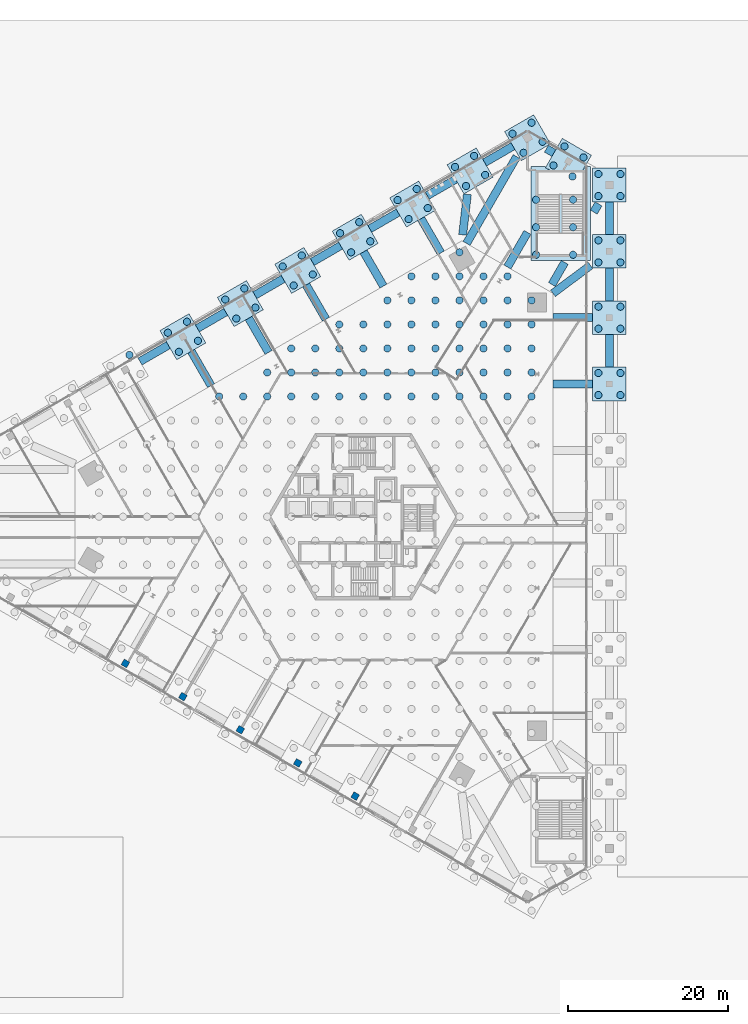
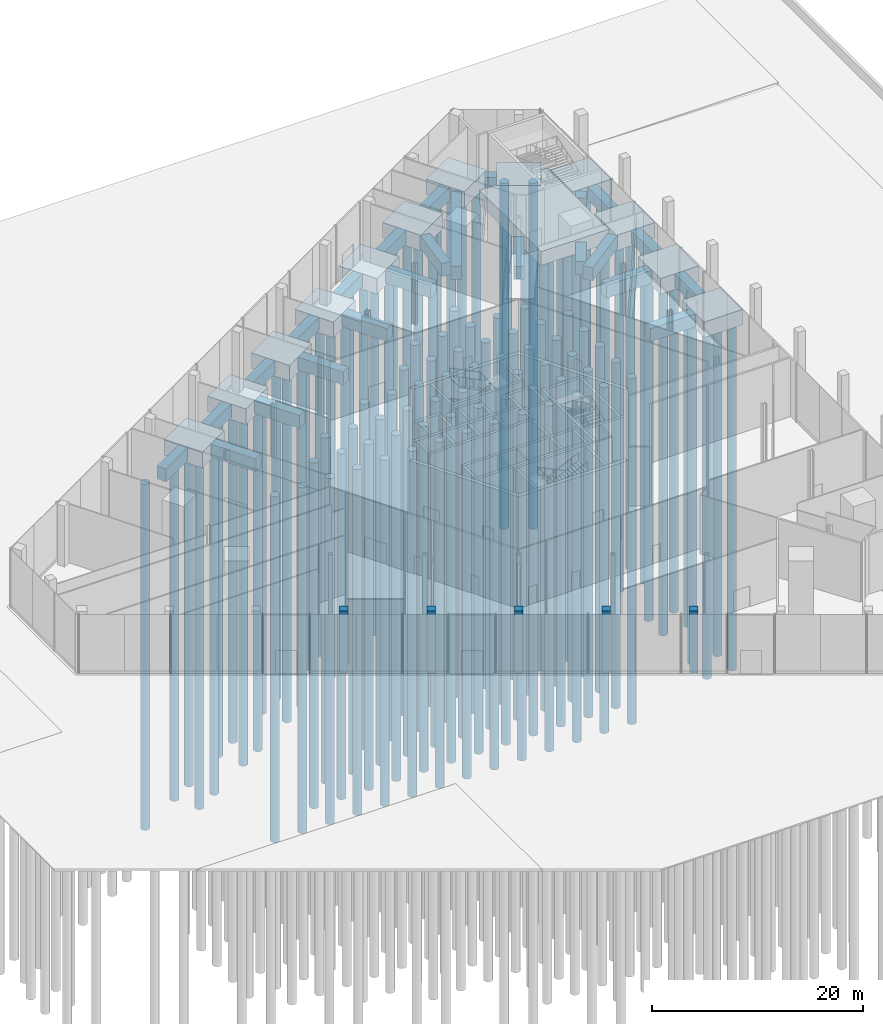
# One storey, part 3 of 27: 114 piles, 37 footings, 5 columns.
"""IFC4 building model written with IfcOpenShell, lengths in metres."""

import ifcopenshell
import ifcopenshell.guid

model = None  # the IFC model being written
_history = None  # IfcOwnerHistory: only IFC2X3 demands one
_inside = {}  # id of a spatial element -> (the spatial element, [elements in it])
_under = {}  # id of a project, library or spatial element -> (it, [spatial elements below it])
_declared = {}  # id of a project -> (the project, [libraries it declares])
_typed = {}  # id of a type object -> (the type object, [elements of that type])
_made_of = {}  # id of a material, layer set ... -> (it, [elements and type objects made of it])


def new_model(schema):
    """Start an empty IFC model of exactly this schema.

    Asked for "IFC4X3", IfcOpenShell would pick the latest addendum, in which some entities
    have other attributes; the version numbers below select the first issue.
    IFC2X3 requires an IfcOwnerHistory on every rooted entity: one is made here for all.
    """
    global model, _history
    if schema == "IFC4X3":
        model = ifcopenshell.file(schema_version=(4, 3, 0, 0))
    else:
        model = ifcopenshell.file(schema=schema)
    _inside.clear()
    _under.clear()
    _declared.clear()
    _typed.clear()
    _made_of.clear()
    _history = None
    if model.schema == "IFC2X3":
        org = make("IfcOrganization", Name="unknown")
        user = make(
            "IfcPersonAndOrganization",
            ThePerson=make("IfcPerson", FamilyName="unknown"),
            TheOrganization=org,
        )
        app = make(
            "IfcApplication",
            ApplicationDeveloper=org,
            Version="unknown",
            ApplicationFullName="unknown",
            ApplicationIdentifier="unknown",
        )
        _history = make(
            "IfcOwnerHistory",
            OwningUser=user,
            OwningApplication=app,
            ChangeAction="ADDED",
            CreationDate=0,
        )
    return model


def make(cls, **values):
    """One entity of the class cls with the attributes given. An attribute that is None is left unset."""
    return model.create_entity(
        cls, **{name: value for name, value in values.items() if value is not None}
    )


def rooted(cls, **values):
    """An entity with a GlobalId (a new one), such as an element, a storey or a relation."""
    return make(cls, GlobalId=ifcopenshell.guid.new(), OwnerHistory=_history, **values)


def si_unit(unit_type, name, prefix=None):
    """IfcSIUnit, for example si_unit("LENGTHUNIT", "METRE", prefix="MILLI")."""
    return make("IfcSIUnit", UnitType=unit_type, Prefix=prefix, Name=name)


def assignment(units):
    """IfcUnitAssignment: the units of a project."""
    return None if units is None else make("IfcUnitAssignment", Units=units)


def point(xyz):
    """IfcCartesianPoint."""
    return None if xyz is None else make("IfcCartesianPoint", Coordinates=xyz)


def direction(xyz):
    """IfcDirection."""
    return None if xyz is None else make("IfcDirection", DirectionRatios=xyz)


def frame(location, z_axis=None, x_axis=None):
    """IfcAxis2Placement3D, a coordinate frame: its origin and axes. An axis left out is left unset."""
    return make(
        "IfcAxis2Placement3D",
        Location=point(location),
        Axis=direction(z_axis),
        RefDirection=direction(x_axis),
    )


def frame_2d(location, x_axis=None):
    """IfcAxis2Placement2D, a coordinate frame in the plane: its origin and x axis."""
    return make(
        "IfcAxis2Placement2D", Location=point(location), RefDirection=direction(x_axis)
    )


def origin():
    """The frame at (0, 0, 0) with its axes left unset."""
    return frame((0.0, 0.0, 0.0))


def origin_2d():
    """The frame at (0, 0) in the plane with its x axis left unset."""
    return frame_2d((0.0, 0.0))


def place(relative_to, where):
    """IfcLocalPlacement: puts the frame where relative to a parent placement (None: the world)."""
    return make(
        "IfcLocalPlacement", PlacementRelTo=relative_to, RelativePlacement=where
    )


def context(
    kind, dimensions, precision=None, world=None, true_north=None, identifier=None
):
    """IfcGeometricRepresentationContext, for example the 3D "Model" context."""
    return make(
        "IfcGeometricRepresentationContext",
        ContextIdentifier=identifier,
        ContextType=kind,
        CoordinateSpaceDimension=dimensions,
        Precision=precision,
        WorldCoordinateSystem=world,
        TrueNorth=true_north,
    )


def subcontext(parent, identifier, kind, view, scale=None):
    """IfcGeometricRepresentationSubContext, for example "Body" below "Model"."""
    return make(
        "IfcGeometricRepresentationSubContext",
        ContextIdentifier=identifier,
        ContextType=kind,
        ParentContext=parent,
        TargetScale=scale,
        TargetView=view,
    )


def project(units=None, contexts=None):
    """IfcProject with its units and contexts."""
    return rooted(
        "IfcProject",
        Name="project",
        RepresentationContexts=contexts,
        UnitsInContext=assignment(units),
    )


def spatial(cls, under=None, at=None, **own):
    """A site, building, storey or space (cls), placed at a placement, below another one or the project."""
    s = rooted(cls, ObjectPlacement=at, **own)
    if under is not None:
        _under.setdefault(under.id(), (under, []))[1].append(s)
    return s


def polyline(points):
    """IfcPolyline through the points."""
    return make("IfcPolyline", Points=[point(p) for p in points])


def profile(cls, at=None, kind="AREA", **sizes):
    """A parametric profile (cls). Its sizes go by their IFC names, for example OverallWidth=200.0."""
    return make(cls, ProfileType=kind, Position=at, **sizes)


def rectangle(**sizes):
    """IfcRectangleProfileDef."""
    return profile("IfcRectangleProfileDef", **sizes)


def circle(**sizes):
    """IfcCircleProfileDef."""
    return profile("IfcCircleProfileDef", **sizes)


def outline(outer, holes=None, kind="AREA"):
    """IfcArbitraryClosedProfileDef: a profile drawn as a closed curve; with holes, ...WithVoids."""
    if holes is None:
        return make("IfcArbitraryClosedProfileDef", ProfileType=kind, OuterCurve=outer)
    return make(
        "IfcArbitraryProfileDefWithVoids",
        ProfileType=kind,
        OuterCurve=outer,
        InnerCurves=holes,
    )


def extrude(swept, where, along, depth):
    """IfcExtrudedAreaSolid: the profile swept, set in the frame where, extruded along a direction by depth."""
    return make(
        "IfcExtrudedAreaSolid",
        SweptArea=swept,
        Position=where,
        ExtrudedDirection=direction(along),
        Depth=depth,
    )


def shape(context_of_items, identifier, shape_type, items):
    """IfcShapeRepresentation: the items that make up one representation, for example the "Body"."""
    return make(
        "IfcShapeRepresentation",
        ContextOfItems=context_of_items,
        RepresentationIdentifier=identifier,
        RepresentationType=shape_type,
        Items=items,
    )


def source(mapping_origin, context_of_items, identifier, shape_type, items):
    """IfcRepresentationMap: a shape defined once, which mapped items show again and again."""
    return make(
        "IfcRepresentationMap",
        MappingOrigin=mapping_origin,
        MappedRepresentation=shape(context_of_items, identifier, shape_type, items),
    )


def transform(
    local_origin,
    x_axis=None,
    y_axis=None,
    z_axis=None,
    scale=None,
    scale2=None,
    scale3=None,
    uniform=True,
):
    """IfcCartesianTransformationOperator3D, or its non-uniform kind. x_axis, y_axis, z_axis: its Axis1, 2, 3."""
    if uniform:
        return make(
            "IfcCartesianTransformationOperator3D",
            Axis1=direction(x_axis),
            Axis2=direction(y_axis),
            LocalOrigin=point(local_origin),
            Scale=scale,
            Axis3=direction(z_axis),
        )
    return make(
        "IfcCartesianTransformationOperator3DnonUniform",
        Axis1=direction(x_axis),
        Axis2=direction(y_axis),
        LocalOrigin=point(local_origin),
        Scale=scale,
        Axis3=direction(z_axis),
        Scale2=scale2,
        Scale3=scale3,
    )


def mapped(mapping_source, mapping_target):
    """IfcMappedItem: shows the shape of a source again, moved by a transform."""
    return make(
        "IfcMappedItem", MappingSource=mapping_source, MappingTarget=mapping_target
    )


def material(Name=None, Category=None):
    """IfcMaterial."""
    return make("IfcMaterial", Name=Name, Category=Category)


def layer(
    of_material, thickness, ventilated=None, Name=None, Category=None, Priority=None
):
    """IfcMaterialLayer: one layer of a wall or slab, of a material (None: an air gap)."""
    return make(
        "IfcMaterialLayer",
        Material=of_material,
        LayerThickness=thickness,
        IsVentilated=ventilated,
        Name=Name,
        Category=Category,
        Priority=Priority,
    )


def layer_set(layers, Name=None):
    """IfcMaterialLayerSet."""
    return make("IfcMaterialLayerSet", MaterialLayers=layers, LayerSetName=Name)


def material_profile(
    of_material, cross_section, Name=None, Category=None, Priority=None
):
    """IfcMaterialProfile: a cross section and its material."""
    return make(
        "IfcMaterialProfile",
        Name=Name,
        Material=of_material,
        Profile=cross_section,
        Priority=Priority,
        Category=Category,
    )


def profile_set(profiles, Name=None, composite=None):
    """IfcMaterialProfileSet."""
    return make(
        "IfcMaterialProfileSet",
        Name=Name,
        MaterialProfiles=profiles,
        CompositeProfile=composite,
    )


def made_of(thing, what):
    """Note that an element or type object is made of a material, layer set ...; save() writes the relation."""
    if what is not None:
        _made_of.setdefault(what.id(), (what, []))[1].append(thing)
    return thing


def type_object(cls, material=None, **own):
    """A type object (cls), such as IfcWallType, which elements share."""
    return made_of(rooted(cls, **own), material)


def element(
    cls,
    number,
    at=None,
    inside=None,
    cuts=None,
    type_object=None,
    material=None,
    context=None,
    identifier="Body",
    shape_type=None,
    held_by="IfcProductDefinitionShape",
    body=None,
    shapes=None,
    **own,
):
    """One element of the class cls, such as IfcWall. Its Tag is "e" and its number.

    at: its placement. inside: the storey or other place that contains it. cuts: it is an
    opening in that element (IfcRelVoidsElement). A single representation is given by context,
    identifier, shape_type and body (its items); several are given by shapes. held_by: the class
    of the entity that holds the representations. save() writes the other relations.
    """
    e = rooted(cls, Tag="e%d" % number, ObjectPlacement=at, **own)
    if body is not None:
        shapes = [shape(context, identifier, shape_type, body)]
    if shapes is not None:
        e.Representation = make(held_by, Representations=shapes)
    if inside is not None:
        _inside.setdefault(inside.id(), (inside, []))[1].append(e)
    if cuts is not None:
        rooted(
            "IfcRelVoidsElement", RelatingBuildingElement=cuts, RelatedOpeningElement=e
        )
    if type_object is not None:
        _typed.setdefault(type_object.id(), (type_object, []))[1].append(e)
    return made_of(e, material)


def aggregate(whole, parts):
    """IfcRelAggregates: a whole, such as a stair, and the parts it consists of."""
    return rooted("IfcRelAggregates", RelatingObject=whole, RelatedObjects=parts)


def save(model, path):
    """Write the relations noted so far, then the file.

    IfcRelAggregates (storeys below a building ...), IfcRelContainedInSpatialStructure (elements
    in a storey), IfcRelDefinesByType, IfcRelAssociatesMaterial and IfcRelDeclares: one each for
    every whole, place, type object, material and project.
    """
    for whole, parts in _under.values():
        aggregate(whole, parts)
    for where, things in _inside.values():
        rooted(
            "IfcRelContainedInSpatialStructure",
            RelatedElements=things,
            RelatingStructure=where,
        )
    for kind, things in _typed.values():
        rooted("IfcRelDefinesByType", RelatedObjects=things, RelatingType=kind)
    for what, things in _made_of.values():
        rooted("IfcRelAssociatesMaterial", RelatedObjects=things, RelatingMaterial=what)
    for by, libraries in _declared.values():
        rooted("IfcRelDeclares", RelatingContext=by, RelatedDefinitions=libraries)
    model.write(path)


model = new_model("IFC4")

# Units and contexts
model_context = context("Model", 3, precision=1e-05, world=origin(), true_north=direction((0.0, 1.0)))
body_context = subcontext(model_context, "Body", "Model", "MODEL_VIEW")
ifc_project = project(units=[si_unit("LENGTHUNIT", "METRE"), si_unit("AREAUNIT", "SQUARE_METRE"), si_unit("VOLUMEUNIT", "CUBIC_METRE"), si_unit("PLANEANGLEUNIT", "RADIAN"), si_unit("MASSUNIT", "GRAM", prefix="KILO")], contexts=[model_context])

# Site, building, storey
site_placement = place(None, origin())
site = spatial("IfcSite", under=ifc_project, at=site_placement, CompositionType="ELEMENT")
building_placement = place(site_placement, origin())
building = spatial("IfcBuilding", under=site, at=building_placement, Name="Triune Harvest Tower", CompositionType="ELEMENT")
storey_placement = place(building_placement, origin())
storey = spatial("IfcBuildingStorey", under=building, at=storey_placement, Name="L00", CompositionType="ELEMENT", Elevation=0.0)

# Footings
ifc_material_1 = material(Name="Concrete 50 MPa", Category="concrete")
ifc_layer_1 = layer(ifc_material_1, 1.60009765625)
ifc_layer_set_1 = layer_set([ifc_layer_1], Name="Concrete 50 MPa")
footing_type_1 = type_object("IfcFootingType", Name="FT-4 Stair pad 1600", PredefinedType="PILE_CAP", material=ifc_layer_set_1)
footing_1_placement = place(storey_placement, frame((0.0, 0.0, -1.60009765625)))
element("IfcFooting", 1, at=footing_1_placement, inside=storey, type_object=footing_type_1, Name="footing/ps-1", PredefinedType="PILE_CAP", context=body_context, shape_type="SweptSolid", body=[
    extrude(outline(polyline([(28.330078125, 32.0), (20.919921875, 32.0), (20.919921875, 43.699951171875), (22.770751953125, 43.699951171875), (22.69580078125, 43.5703125), (26.385009765625, 41.4404296875), (27.689697265625, 43.699951171875), (28.330078125, 43.699951171875), (28.330078125, 32.0)])), origin(), (0.0, 0.0, 1.0), 1.60009765625),
])
ifc_material_2 = material(Name="Concrete 50 MPa", Category="concrete")
ifc_material_profile_1 = material_profile(ifc_material_2, rectangle(XDim=1.0, YDim=1.5, at=origin_2d()), Name="Concrete 1000x1500")
ifc_profile_set_1 = profile_set([ifc_material_profile_1], Name="Concrete 50 MPa")
footing_type_2 = type_object("IfcFootingType", Name="GB-1 Ground beam 1000x1500", PredefinedType="FOOTING_BEAM", material=ifc_profile_set_1)
footing_2_placement = place(storey_placement, frame((25.14208984375, 31.747314453125, -0.949951171875), z_axis=(-0.499978298259, -0.866037932928, 0.0), x_axis=(0.866037932928, -0.499978298259, 0.0)))
element("IfcFooting", 2, at=footing_2_placement, inside=storey, type_object=footing_type_2, Name="beam/ground/tie11b", PredefinedType="FOOTING_BEAM", context=body_context, shape_type="SweptSolid", body=[
    extrude(rectangle(XDim=1.0, YDim=1.5, at=origin_2d()), origin(), (0.0, 0.0, 1.0), 3.194091796875),
])

# Piles
ifc_material_3 = material(Name="Concrete 40 MPa", Category="concrete")
ifc_material_profile_2 = material_profile(ifc_material_3, circle(Radius=0.449951171875, at=origin_2d()), Name="Bored 900")
ifc_profile_set_2 = profile_set([ifc_material_profile_2], Name="Concrete 40 MPa")
pile_type = type_object("IfcPileType", Name="PL-1 Auger-cast pile 900", PredefinedType="BORED", material=ifc_profile_set_2)
shared_shape_1 = source(origin(), body_context, "Body", "SweptSolid", [
    extrude(circle(Radius=0.449951171875, at=origin_2d()), origin(), (0.0, 0.0, 1.0), 40.0),
])
for number, where, z_axis, x_axis, name in (
    (3, (-18.0, 15.0, -4.10009765625), (0.0, 0.0, -1.0), (1.0, 0.0, 0.0), "pile/raft/48"),
    (4, (-15.0, 15.0, -4.10009765625), (0.0, 0.0, -1.0), (1.0, 0.0, 0.0), "pile/raft/59"),
    (5, (-12.0, 15.0, -4.10009765625), (0.0, 0.0, -1.0), (1.0, 0.0, 0.0), "pile/raft/71"),
    (6, (-12.0, 18.0, -4.10009765625), (0.0, 0.0, -1.0), (1.0, 0.0, 0.0), "pile/raft/72"),
    (7, (-9.0, 15.0, -4.10009765625), (0.0, 0.0, -1.0), (1.0, 0.0, 0.0), "pile/raft/85"),
    (8, (-9.0, 18.0, -4.10009765625), (0.0, 0.0, -1.0), (1.0, 0.0, 0.0), "pile/raft/86"),
    (9, (-9.0, 21.0, -4.10009765625), (0.0, 0.0, -1.0), (1.0, 0.0, 0.0), "pile/raft/87"),
    (10, (-6.0, 15.0, -4.10009765625), (0.0, 0.0, -1.0), (1.0, 0.0, 0.0), "pile/raft/100"),
    (11, (-6.0, 18.0, -4.10009765625), (0.0, 0.0, -1.0), (1.0, 0.0, 0.0), "pile/raft/101"),
    (12, (-6.0, 21.0, -4.10009765625), (0.0, 0.0, -1.0), (1.0, 0.0, 0.0), "pile/raft/102"),
    (13, (-3.0, 15.0, -4.10009765625), (0.0, 0.0, -1.0), (1.0, 0.0, 0.0), "pile/raft/116"),
    (14, (-3.0, 18.0, -4.10009765625), (0.0, 0.0, -1.0), (1.0, 0.0, 0.0), "pile/raft/117"),
    (15, (-3.0, 21.0, -4.10009765625), (0.0, 0.0, -1.0), (1.0, 0.0, 0.0), "pile/raft/118"),
    (16, (-3.0, 24.0, -4.10009765625), (0.0, 0.0, -1.0), (1.0, 0.0, 0.0), "pile/raft/119"),
    (17, (0.0, 15.0, -4.10009765625), (0.0, 0.0, -1.0), (1.0, 0.0, 0.0), "pile/raft/133"),
    (18, (0.0, 18.0, -4.10009765625), (0.0, 0.0, -1.0), (1.0, 0.0, 0.0), "pile/raft/134"),
    (19, (0.0, 21.0, -4.10009765625), (0.0, 0.0, -1.0), (1.0, 0.0, 0.0), "pile/raft/135"),
    (20, (0.0, 24.0, -4.10009765625), (0.0, 0.0, -1.0), (1.0, 0.0, 0.0), "pile/raft/136"),
    (21, (3.0, 15.0, -4.10009765625), (0.0, 0.0, -1.0), (1.0, 0.0, 0.0), "pile/raft/151"),
    (22, (3.0, 18.0, -4.10009765625), (0.0, 0.0, -1.0), (1.0, 0.0, 0.0), "pile/raft/152"),
    (23, (3.0, 21.0, -4.10009765625), (0.0, 0.0, -1.0), (1.0, 0.0, 0.0), "pile/raft/153"),
    (24, (3.0, 24.0, -4.10009765625), (0.0, 0.0, -1.0), (1.0, 0.0, 0.0), "pile/raft/154"),
    (25, (3.0, 27.0, -4.10009765625), (0.0, 0.0, -1.0), (1.0, 0.0, 0.0), "pile/raft/155"),
    (26, (6.0, 15.0, -4.10009765625), (0.0, 0.0, -1.0), (1.0, 0.0, 0.0), "pile/raft/171"),
    (27, (6.0, 18.0, -4.10009765625), (0.0, 0.0, -1.0), (1.0, 0.0, 0.0), "pile/raft/172"),
    (28, (6.0, 21.0, -4.10009765625), (0.0, 0.0, -1.0), (1.0, 0.0, 0.0), "pile/raft/173"),
    (29, (6.0, 24.0, -4.10009765625), (0.0, 0.0, -1.0), (1.0, 0.0, 0.0), "pile/raft/174"),
    (30, (6.0, 27.0, -4.10009765625), (0.0, 0.0, -1.0), (1.0, 0.0, 0.0), "pile/raft/175"),
    (31, (6.0, 30.0, -4.10009765625), (0.0, 0.0, -1.0), (1.0, 0.0, 0.0), "pile/raft/176"),
    (32, (9.0, 15.0, -4.10009765625), (0.0, 0.0, -1.0), (1.0, 0.0, 0.0), "pile/raft/192"),
    (33, (9.0, 18.0, -4.10009765625), (0.0, 0.0, -1.0), (1.0, 0.0, 0.0), "pile/raft/193"),
    (34, (9.0, 21.0, -4.10009765625), (0.0, 0.0, -1.0), (1.0, 0.0, 0.0), "pile/raft/194"),
    (35, (9.0, 24.0, -4.10009765625), (0.0, 0.0, -1.0), (1.0, 0.0, 0.0), "pile/raft/195"),
    (36, (9.0, 27.0, -4.10009765625), (0.0, 0.0, -1.0), (1.0, 0.0, 0.0), "pile/raft/196"),
    (37, (9.0, 30.0, -4.10009765625), (0.0, 0.0, -1.0), (1.0, 0.0, 0.0), "pile/raft/197"),
    (38, (12.0, 15.0, -4.10009765625), (0.0, 0.0, -1.0), (1.0, 0.0, 0.0), "pile/raft/214"),
    (39, (12.0, 18.0, -4.10009765625), (0.0, 0.0, -1.0), (1.0, 0.0, 0.0), "pile/raft/215"),
    (40, (12.0, 21.0, -4.10009765625), (0.0, 0.0, -1.0), (1.0, 0.0, 0.0), "pile/raft/216"),
    (41, (12.0, 24.0, -4.10009765625), (0.0, 0.0, -1.0), (1.0, 0.0, 0.0), "pile/raft/217"),
    (42, (12.0, 27.0, -4.10009765625), (0.0, 0.0, -1.0), (1.0, 0.0, 0.0), "pile/raft/218"),
    (43, (12.0, 30.0, -4.10009765625), (0.0, 0.0, -1.0), (1.0, 0.0, 0.0), "pile/raft/219"),
    (44, (12.0, 33.0, -4.10009765625), (0.0, 0.0, -1.0), (1.0, 0.0, 0.0), "pile/raft/220"),
    (45, (15.0, 15.0, -4.10009765625), (0.0, 0.0, -1.0), (1.0, 0.0, 0.0), "pile/raft/236"),
    (46, (15.0, 18.0, -4.10009765625), (0.0, 0.0, -1.0), (1.0, 0.0, 0.0), "pile/raft/237"),
    (47, (15.0, 21.0, -4.10009765625), (0.0, 0.0, -1.0), (1.0, 0.0, 0.0), "pile/raft/238"),
    (48, (15.0, 24.0, -4.10009765625), (0.0, 0.0, -1.0), (1.0, 0.0, 0.0), "pile/raft/239"),
    (49, (15.0, 27.0, -4.10009765625), (0.0, 0.0, -1.0), (1.0, 0.0, 0.0), "pile/raft/240"),
    (50, (15.0, 30.0, -4.10009765625), (0.0, 0.0, -1.0), (1.0, 0.0, 0.0), "pile/raft/241"),
    (51, (18.0, 15.0, -4.10009765625), (0.0, 0.0, -1.0), (1.0, 0.0, 0.0), "pile/raft/257"),
    (52, (18.0, 18.0, -4.10009765625), (0.0, 0.0, -1.0), (1.0, 0.0, 0.0), "pile/raft/258"),
    (53, (18.0, 21.0, -4.10009765625), (0.0, 0.0, -1.0), (1.0, 0.0, 0.0), "pile/raft/259"),
    (54, (18.0, 24.0, -4.10009765625), (0.0, 0.0, -1.0), (1.0, 0.0, 0.0), "pile/raft/260"),
    (55, (18.0, 27.0, -4.10009765625), (0.0, 0.0, -1.0), (1.0, 0.0, 0.0), "pile/raft/261"),
    (56, (18.0, 30.0, -4.10009765625), (0.0, 0.0, -1.0), (1.0, 0.0, 0.0), "pile/raft/262"),
    (57, (21.0, 15.0, -4.10009765625), (0.0, 0.0, -1.0), (1.0, 0.0, 0.0), "pile/raft/277"),
    (58, (21.0, 18.0, -4.10009765625), (0.0, 0.0, -1.0), (1.0, 0.0, 0.0), "pile/raft/278"),
    (59, (21.0, 21.0, -4.10009765625), (0.0, 0.0, -1.0), (1.0, 0.0, 0.0), "pile/raft/279"),
    (60, (21.0, 24.0, -4.10009765625), (0.0, 0.0, -1.0), (1.0, 0.0, 0.0), "pile/raft/280"),
    (61, (21.0, 27.0, -4.10009765625), (0.0, 0.0, -1.0), (1.0, 0.0, 0.0), "pile/raft/281"),
    (62, (32.090087890625, 15.18505859375, -1.89990234375), (0.0, 0.0, -1.0), (1.0, 0.0, 0.0), "pile/cap8/1"),
    (63, (32.090087890625, 17.93505859375, -1.89990234375), (0.0, 0.0, -1.0), (1.0, 0.0, 0.0), "pile/cap8/2"),
    (64, (29.340087890625, 17.93505859375, -1.89990234375), (0.0, 0.0, -1.0), (1.0, 0.0, 0.0), "pile/cap8/3"),
    (65, (29.340087890625, 15.18505859375, -1.89990234375), (0.0, 0.0, -1.0), (1.0, 0.0, 0.0), "pile/cap8/4"),
    (66, (32.090087890625, 23.465087890625, -1.89990234375), (0.0, 0.0, -1.0), (1.0, 0.0, 0.0), "pile/cap9/1"),
    (67, (32.090087890625, 26.215087890625, -1.89990234375), (0.0, 0.0, -1.0), (1.0, 0.0, 0.0), "pile/cap9/2"),
    (68, (29.340087890625, 26.215087890625, -1.89990234375), (0.0, 0.0, -1.0), (1.0, 0.0, 0.0), "pile/cap9/3"),
    (69, (29.340087890625, 23.465087890625, -1.89990234375), (0.0, 0.0, -1.0), (1.0, 0.0, 0.0), "pile/cap9/4"),
    (70, (32.090087890625, 31.7451171875, -1.89990234375), (0.0, 0.0, -1.0), (1.0, 0.0, 0.0), "pile/cap10/1"),
    (71, (32.090087890625, 34.4951171875, -1.89990234375), (0.0, 0.0, -1.0), (1.0, 0.0, 0.0), "pile/cap10/2"),
    (72, (29.340087890625, 34.4951171875, -1.89990234375), (0.0, 0.0, -1.0), (1.0, 0.0, 0.0), "pile/cap10/3"),
    (73, (29.340087890625, 31.7451171875, -1.89990234375), (0.0, 0.0, -1.0), (1.0, 0.0, 0.0), "pile/cap10/4"),
    (74, (32.090087890625, 40.02490234375, -1.89990234375), (0.0, 0.0, -1.0), (1.0, 0.0, 0.0), "pile/cap11/1"),
    (75, (32.090087890625, 42.77490234375, -1.89990234375), (0.0, 0.0, -1.0), (1.0, 0.0, 0.0), "pile/cap11/2"),
    (76, (29.340087890625, 42.77490234375, -1.89990234375), (0.0, 0.0, -1.0), (1.0, 0.0, 0.0), "pile/cap11/3"),
    (77, (29.340087890625, 40.02490234375, -1.89990234375), (0.0, 0.0, -1.0), (1.0, 0.0, 0.0), "pile/cap11/4"),
    (78, (27.48388671875, 44.853271484375, -1.89990234375), (0.0, 0.0, -1.0), (1.0, 0.0, 0.0), "pile/cap12/1"),
    (79, (25.102294921875, 46.228271484375, -1.89990234375), (0.0, 0.0, -1.0), (1.0, 0.0, 0.0), "pile/cap12/2"),
    (80, (23.727294921875, 43.8466796875, -1.89990234375), (0.0, 0.0, -1.0), (1.0, 0.0, 0.0), "pile/cap12/3"),
    (81, (26.10888671875, 42.4716796875, -1.89990234375), (0.0, 0.0, -1.0), (1.0, 0.0, 0.0), "pile/cap12/4"),
    (82, (20.999267578125, 49.17822265625, -1.89990234375), (0.0, 0.0, -1.0), (1.0, 0.0, 0.0), "pile/cap13/1"),
    (83, (18.61767578125, 47.80322265625, -1.89990234375), (0.0, 0.0, -1.0), (1.0, 0.0, 0.0), "pile/cap13/2"),
    (84, (19.99267578125, 45.421630859375, -1.89990234375), (0.0, 0.0, -1.0), (1.0, 0.0, 0.0), "pile/cap13/3"),
    (85, (22.374267578125, 46.796630859375, -1.89990234375), (0.0, 0.0, -1.0), (1.0, 0.0, 0.0), "pile/cap13/4"),
    (86, (13.82861328125, 45.038330078125, -1.89990234375), (0.0, 0.0, -1.0), (1.0, 0.0, 0.0), "pile/cap14/1"),
    (87, (11.447021484375, 43.663330078125, -1.89990234375), (0.0, 0.0, -1.0), (1.0, 0.0, 0.0), "pile/cap14/2"),
    (88, (12.822021484375, 41.28173828125, -1.89990234375), (0.0, 0.0, -1.0), (1.0, 0.0, 0.0), "pile/cap14/3"),
    (89, (15.20361328125, 42.65673828125, -1.89990234375), (0.0, 0.0, -1.0), (1.0, 0.0, 0.0), "pile/cap14/4"),
    (90, (6.65771484375, 40.898193359375, -1.89990234375), (0.0, 0.0, -1.0), (1.0, 0.0, 0.0), "pile/cap15/1"),
    (91, (4.276123046875, 39.523193359375, -1.89990234375), (0.0, 0.0, -1.0), (1.0, 0.0, 0.0), "pile/cap15/2"),
    (92, (5.651123046875, 37.1416015625, -1.89990234375), (0.0, 0.0, -1.0), (1.0, 0.0, 0.0), "pile/cap15/3"),
    (93, (8.03271484375, 38.5166015625, -1.89990234375), (0.0, 0.0, -1.0), (1.0, 0.0, 0.0), "pile/cap15/4"),
    (94, (-0.512939453125, 36.75830078125, -1.89990234375), (0.0, 0.0, -1.0), (1.0, 0.0, 0.0), "pile/cap16/1"),
    (95, (-2.89453125, 35.38330078125, -1.89990234375), (0.0, 0.0, -1.0), (1.0, 0.0, 0.0), "pile/cap16/2"),
    (96, (-1.51953125, 33.001708984375, -1.89990234375), (0.0, 0.0, -1.0), (1.0, 0.0, 0.0), "pile/cap16/3"),
    (97, (0.862060546875, 34.376708984375, -1.89990234375), (0.0, 0.0, -1.0), (1.0, 0.0, 0.0), "pile/cap16/4"),
    (98, (-7.68359375, 32.618408203125, -1.89990234375), (0.0, 0.0, -1.0), (1.0, 0.0, 0.0), "pile/cap17/1"),
    (99, (-10.065185546875, 31.243408203125, -1.89990234375), (0.0, 0.0, -1.0), (1.0, 0.0, 0.0), "pile/cap17/2"),
    (100, (-8.690185546875, 28.86181640625, -1.89990234375), (0.0, 0.0, -1.0), (1.0, 0.0, 0.0), "pile/cap17/3"),
    (101, (-6.30859375, 30.23681640625, -1.89990234375), (0.0, 0.0, -1.0), (1.0, 0.0, 0.0), "pile/cap17/4"),
    (102, (-14.854248046875, 28.478271484375, -1.89990234375), (0.0, 0.0, -1.0), (1.0, 0.0, 0.0), "pile/cap18/1"),
    (103, (-17.23583984375, 27.103271484375, -1.89990234375), (0.0, 0.0, -1.0), (1.0, 0.0, 0.0), "pile/cap18/2"),
    (104, (-15.86083984375, 24.7216796875, -1.89990234375), (0.0, 0.0, -1.0), (1.0, 0.0, 0.0), "pile/cap18/3"),
    (105, (-13.479248046875, 26.0966796875, -1.89990234375), (0.0, 0.0, -1.0), (1.0, 0.0, 0.0), "pile/cap18/4"),
    (106, (-22.02490234375, 24.33837890625, -1.89990234375), (0.0, 0.0, -1.0), (1.0, 0.0, 0.0), "pile/cap19/1"),
    (107, (-24.406494140625, 22.96337890625, -1.89990234375), (0.0, 0.0, -1.0), (1.0, 0.0, 0.0), "pile/cap19/2"),
    (108, (-23.031494140625, 20.581787109375, -1.89990234375), (0.0, 0.0, -1.0), (1.0, 0.0, 0.0), "pile/cap19/3"),
    (109, (-20.64990234375, 21.956787109375, -1.89990234375), (0.0, 0.0, -1.0), (1.0, 0.0, 0.0), "pile/cap19/4"),
    (110, (-29.195556640625, 20.1982421875, -1.89990234375), (0.0, 0.0, -1.0), (1.0, 0.0, 0.0), "pile/cap20/1"),
    (111, (21.570068359375, 32.699951171875, -1.5), (0.0, 0.0, -1.0), (1.0, 0.0, 0.0), "pile/ps-1/1"),
    (112, (26.179931640625, 32.699951171875, -1.5), (0.0, 0.0, -1.0), (1.0, 0.0, 0.0), "pile/ps-1/2"),
    (113, (21.570068359375, 36.13330078125, -1.5), (0.0, 0.0, -1.0), (1.0, 0.0, 0.0), "pile/ps-1/3"),
    (114, (26.179931640625, 36.13330078125, -1.5), (0.0, 0.0, -1.0), (1.0, 0.0, 0.0), "pile/ps-1/4"),
    (115, (21.570068359375, 39.566650390625, -1.5), (0.0, 0.0, -1.0), (1.0, 0.0, 0.0), "pile/ps-1/5"),
    (116, (26.179931640625, 39.566650390625, -1.5), (0.0, 0.0, -1.0), (1.0, 0.0, 0.0), "pile/ps-1/6"),
):
    element("IfcPile", number, at=place(storey_placement, frame(where, z_axis=z_axis, x_axis=x_axis)), inside=storey, type_object=pile_type, Name=name, PredefinedType="BORED", context=body_context, shape_type="MappedRepresentation", body=[
        mapped(shared_shape_1, transform((0.0, 0.0, 0.0), scale=1.0)),
    ])

# Footings
ifc_material_4 = material(Name="Concrete 50 MPa", Category="concrete")
ifc_layer_2 = layer(ifc_material_4, 1.800048828125)
ifc_layer_set_2 = layer_set([ifc_layer_2], Name="Concrete 50 MPa")
footing_type_3 = type_object("IfcFootingType", Name="FT-2 Pile cap 4200", PredefinedType="PILE_CAP", material=ifc_layer_set_2)
shared_shape_2 = source(origin(), body_context, "Body", "SweptSolid", [
    extrude(rectangle(XDim=4.199951171875, YDim=4.199951171875, at=origin_2d()), origin(), (0.0, 0.0, 1.0), 1.800048828125),
])
for number, where, z_axis, x_axis, name in (
    (117, (30.715087890625, 16.56005859375, -2.0), (0.0, 0.0, 1.0), (0.0, 1.0, 0.0), "footing/cap/8"),
    (118, (30.715087890625, 24.840087890625, -2.0), (0.0, 0.0, 1.0), (0.0, 1.0, 0.0), "footing/cap/9"),
    (119, (30.715087890625, 33.1201171875, -2.0), (0.0, 0.0, 1.0), (0.0, 1.0, 0.0), "footing/cap/10"),
    (120, (30.715087890625, 41.39990234375, -2.0), (0.0, 0.0, 1.0), (0.0, 1.0, 0.0), "footing/cap/11"),
    (121, (25.60546875, 44.35009765625, -2.0), (0.0, 0.0, 1.0), (-0.866027149108, 0.499996976998, 0.0), "footing/cap/12"),
    (122, (20.495849609375, 47.300048828125, -2.0), (0.0, 0.0, 1.0), (-0.866025403784, -0.5, 0.0), "footing/cap/13"),
    (123, (13.3251953125, 43.159912109375, -2.0), (0.0, 0.0, 1.0), (-0.866025403784, -0.5, 0.0), "footing/cap/14"),
    (124, (6.154541015625, 39.02001953125, -2.0), (0.0, 0.0, 1.0), (-0.866025403784, -0.5, 0.0), "footing/cap/15"),
    (125, (-1.01611328125, 34.8798828125, -2.0), (0.0, 0.0, 1.0), (-0.866025403784, -0.5, 0.0), "footing/cap/16"),
    (126, (-8.18701171875, 30.739990234375, -2.0), (0.0, 0.0, 1.0), (-0.866025403784, -0.5, 0.0), "footing/cap/17"),
    (127, (-15.357421875, 26.60009765625, -2.0), (0.0, 0.0, 1.0), (-0.866025403784, -0.5, 0.0), "footing/cap/18"),
    (128, (-22.5283203125, 22.4599609375, -2.0), (0.0, 0.0, 1.0), (-0.866025403784, -0.5, 0.0), "footing/cap/19"),
):
    element("IfcFooting", number, at=place(storey_placement, frame(where, z_axis=z_axis, x_axis=x_axis)), inside=storey, type_object=footing_type_3, Name=name, PredefinedType="PILE_CAP", context=body_context, shape_type="MappedRepresentation", body=[
        mapped(shared_shape_2, transform((0.0, 0.0, 0.0), scale=1.0)),
    ])
shared_shape_3 = source(origin(), body_context, "Body", "SweptSolid", [
    extrude(rectangle(XDim=1.0, YDim=1.5, at=origin_2d()), origin(), (0.0, 0.0, 1.0), 4.07421875),
])
footing_3_placement = place(storey_placement, frame((30.715087890625, 35.222900390625, -0.949951171875), z_axis=(0.0, 1.0, 0.0), x_axis=(-1.0, 0.0, 0.0)))
element("IfcFooting", 129, at=footing_3_placement, inside=storey, type_object=footing_type_2, Name="beam/ground/10", PredefinedType="FOOTING_BEAM", context=body_context, shape_type="MappedRepresentation", body=[
    mapped(shared_shape_3, transform((0.0, 0.0, 0.0), scale=1.0)),
])
shared_shape_4 = source(origin(), body_context, "Body", "SweptSolid", [
    extrude(rectangle(XDim=1.0, YDim=1.5, at=origin_2d()), origin(), (0.0, 0.0, 1.0), 4.073974609375),
])
for number, where, z_axis, x_axis, name in (
    (130, (30.715087890625, 18.6630859375, -0.949951171875), (0.0, 1.0, 0.0), (-1.0, 0.0, 0.0), "beam/ground/8"),
    (131, (30.715087890625, 26.943115234375, -0.949951171875), (0.0, 1.0, 0.0), (-1.0, 0.0, 0.0), "beam/ground/9"),
    (132, (18.674560546875, 46.24853515625, -0.949951171875), (-0.866006946562, -0.500031967484, 0.0), (0.500031967484, -0.866006946562, 0.0), "beam/ground/13"),
    (133, (4.333251953125, 37.968505859375, -0.949951171875), (-0.866006946562, -0.500031967484, 0.0), (0.500031967484, -0.866006946562, 0.0), "beam/ground/15"),
    (134, (-2.83740234375, 33.82861328125, -0.949951171875), (-0.866006946562, -0.500031967484, 0.0), (0.500031967484, -0.866006946562, 0.0), "beam/ground/16"),
    (135, (-17.1787109375, 25.548583984375, -0.949951171875), (-0.866006946562, -0.500031967484, 0.0), (0.500031967484, -0.866006946562, 0.0), "beam/ground/18"),
):
    element("IfcFooting", number, at=place(storey_placement, frame(where, z_axis=z_axis, x_axis=x_axis)), inside=storey, type_object=footing_type_2, Name=name, PredefinedType="FOOTING_BEAM", context=body_context, shape_type="MappedRepresentation", body=[
        mapped(shared_shape_4, transform((0.0, 0.0, 0.0), scale=1.0)),
    ])
shared_shape_5 = source(origin(), body_context, "Body", "SweptSolid", [
    extrude(rectangle(XDim=1.0, YDim=1.5, at=origin_2d()), origin(), (0.0, 0.0, 1.0), 1.0791015625),
])
footing_4_placement = place(storey_placement, frame((23.7841796875, 45.401611328125, -0.949951171875), z_axis=(-0.866034889475, 0.499983569942, 0.0), x_axis=(-0.499983569942, -0.866034889475, 0.0)))
element("IfcFooting", 136, at=footing_4_placement, inside=storey, type_object=footing_type_2, Name="beam/ground/12", PredefinedType="FOOTING_BEAM", context=body_context, shape_type="MappedRepresentation", body=[
    mapped(shared_shape_5, transform((0.0, 0.0, 0.0), scale=1.0)),
])
shared_shape_6 = source(origin(), body_context, "Body", "SweptSolid", [
    extrude(rectangle(XDim=1.0, YDim=1.5, at=origin_2d()), origin(), (0.0, 0.0, 1.0), 4.07373046875),
])
for number, where, z_axis, x_axis, name in (
    (137, (11.50390625, 42.1083984375, -0.949951171875), (-0.866032896488, -0.499987022033, 0.0), (0.499987022033, -0.866032896488, 0.0), "beam/ground/14"),
    (138, (-24.349609375, 21.408447265625, -0.949951171875), (-0.866032896488, -0.499987022033, 0.0), (0.499987022033, -0.866032896488, 0.0), "beam/ground/19"),
):
    element("IfcFooting", number, at=place(storey_placement, frame(where, z_axis=z_axis, x_axis=x_axis)), inside=storey, type_object=footing_type_2, Name=name, PredefinedType="FOOTING_BEAM", context=body_context, shape_type="MappedRepresentation", body=[
        mapped(shared_shape_6, transform((0.0, 0.0, 0.0), scale=1.0)),
    ])
shared_shape_7 = source(origin(), body_context, "Body", "SweptSolid", [
    extrude(rectangle(XDim=1.0, YDim=1.5, at=origin_2d()), origin(), (0.0, 0.0, 1.0), 4.06396484375),
])
footing_5_placement = place(storey_placement, frame((-10.012451171875, 29.68603515625, -0.949951171875), z_axis=(-0.866027523318, -0.499996328842, 0.0), x_axis=(0.499996328842, -0.866027523318, 0.0)))
element("IfcFooting", 139, at=footing_5_placement, inside=storey, type_object=footing_type_2, Name="beam/ground/17", PredefinedType="FOOTING_BEAM", context=body_context, shape_type="MappedRepresentation", body=[
    mapped(shared_shape_7, transform((0.0, 0.0, 0.0), scale=1.0)),
])
shared_shape_8 = source(origin(), body_context, "Body", "SweptSolid", [
    extrude(rectangle(XDim=1.0, YDim=1.5, at=origin_2d()), origin(), (0.0, 0.0, 1.0), 1.18701171875),
])
footing_6_placement = place(storey_placement, frame((29.356201171875, 39.04638671875, -0.949951171875), z_axis=(-0.499965759324, -0.866045171745, 0.0), x_axis=(0.866045171745, -0.499965759324, 0.0)))
element("IfcFooting", 140, at=footing_6_placement, inside=storey, type_object=footing_type_2, Name="beam/ground/tie11", PredefinedType="FOOTING_BEAM", context=body_context, shape_type="MappedRepresentation", body=[
    mapped(shared_shape_8, transform((0.0, 0.0, 0.0), scale=1.0)),
])
shared_shape_9 = source(origin(), body_context, "Body", "SweptSolid", [
    extrude(rectangle(XDim=1.0, YDim=1.5, at=origin_2d()), origin(), (0.0, 0.0, 1.0), 5.087158203125),
])
footing_7_placement = place(storey_placement, frame((12.98486328125, 40.239501953125, -0.949951171875), z_axis=(-0.115755229234, -0.993277769259, 0.0), x_axis=(0.993277769259, -0.115755229234, 0.0)))
element("IfcFooting", 141, at=footing_7_placement, inside=storey, type_object=footing_type_2, Name="beam/ground/tie14", PredefinedType="FOOTING_BEAM", context=body_context, shape_type="MappedRepresentation", body=[
    mapped(shared_shape_9, transform((0.0, 0.0, 0.0), scale=1.0)),
])
shared_shape_10 = source(origin(), body_context, "Body", "SweptSolid", [
    extrude(rectangle(XDim=1.0, YDim=1.5, at=origin_2d()), origin(), (0.0, 0.0, 1.0), 4.937744140625),
])
for number, where, z_axis, x_axis, name in (
    (142, (28.612060546875, 16.56005859375, -0.949951171875), (-1.0, 0.0, 0.0), (0.0, -1.0, 0.0), "beam/ground/tie8"),
    (143, (28.612060546875, 24.840087890625, -0.949951171875), (-1.0, 0.0, 0.0), (0.0, -1.0, 0.0), "beam/ground/tie9"),
    (144, (-7.135498046875, 28.918701171875, -0.949951171875), (0.500026329958, -0.866010201643, 0.0), (0.866010201643, 0.500026329958, 0.0), "beam/ground/tie17"),
    (145, (-21.476806640625, 20.638671875, -0.949951171875), (0.500026329958, -0.866010201643, 0.0), (0.866010201643, 0.500026329958, 0.0), "beam/ground/tie19"),
):
    element("IfcFooting", number, at=place(storey_placement, frame(where, z_axis=z_axis, x_axis=x_axis)), inside=storey, type_object=footing_type_2, Name=name, PredefinedType="FOOTING_BEAM", context=body_context, shape_type="MappedRepresentation", body=[
        mapped(shared_shape_10, transform((0.0, 0.0, 0.0), scale=1.0)),
    ])
shared_shape_11 = source(origin(), body_context, "Body", "SweptSolid", [
    extrude(rectangle(XDim=1.0, YDim=1.5, at=origin_2d()), origin(), (0.0, 0.0, 1.0), 5.835693359375),
])
footing_8_placement = place(storey_placement, frame((28.35595703125, 31.364990234375, -0.949951171875), z_axis=(-0.802333395362, -0.596876136804, 0.0), x_axis=(0.596876136804, -0.802333395362, 0.0)))
element("IfcFooting", 146, at=footing_8_placement, inside=storey, type_object=footing_type_2, Name="beam/ground/tie10", PredefinedType="FOOTING_BEAM", context=body_context, shape_type="MappedRepresentation", body=[
    mapped(shared_shape_11, transform((0.0, 0.0, 0.0), scale=1.0)),
])
shared_shape_12 = source(origin(), body_context, "Body", "SweptSolid", [
    extrude(rectangle(XDim=1.0, YDim=1.5, at=origin_2d()), origin(), (0.0, 0.0, 1.0), 4.991455078125),
])
footing_9_placement = place(storey_placement, frame((20.487548828125, 35.4853515625, -0.949951171875), z_axis=(-0.50001599868, -0.866016166745, 0.0), x_axis=(0.866016166745, -0.50001599868, 0.0)))
element("IfcFooting", 147, at=footing_9_placement, inside=storey, type_object=footing_type_2, Name="beam/ground/tie12", PredefinedType="FOOTING_BEAM", context=body_context, shape_type="MappedRepresentation", body=[
    mapped(shared_shape_12, transform((0.0, 0.0, 0.0), scale=1.0)),
])
shared_shape_13 = source(origin(), body_context, "Body", "SweptSolid", [
    extrude(rectangle(XDim=1.0, YDim=1.5, at=origin_2d()), origin(), (0.0, 0.0, 1.0), 12.509765625),
])
footing_10_placement = place(storey_placement, frame((19.136962890625, 44.9462890625, -0.949951171875), z_axis=(-0.500001197378, -0.866024712477, 0.0), x_axis=(0.866024712477, -0.500001197378, 0.0)))
element("IfcFooting", 148, at=footing_10_placement, inside=storey, type_object=footing_type_2, Name="beam/ground/tie13", PredefinedType="FOOTING_BEAM", context=body_context, shape_type="MappedRepresentation", body=[
    mapped(shared_shape_13, transform((0.0, 0.0, 0.0), scale=1.0)),
])
shared_shape_14 = source(origin(), body_context, "Body", "SweptSolid", [
    extrude(rectangle(XDim=1.0, YDim=1.5, at=origin_2d()), origin(), (0.0, 0.0, 1.0), 4.9375),
])
for number, where, z_axis, x_axis, name in (
    (149, (7.2060546875, 37.19873046875, -0.949951171875), (0.499989246947, -0.866031611973, 0.0), (0.866031611973, 0.499989246947, 0.0), "beam/ground/tie15"),
    (150, (0.035400390625, 33.05859375, -0.949951171875), (0.500010657777, -0.866019250426, 0.0), (0.866019250426, 0.500010657777, 0.0), "beam/ground/tie16"),
    (151, (-14.305908203125, 24.77880859375, -0.949951171875), (0.499989246947, -0.866031611973, 0.0), (0.866031611973, 0.499989246947, 0.0), "beam/ground/tie18"),
):
    element("IfcFooting", number, at=place(storey_placement, frame(where, z_axis=z_axis, x_axis=x_axis)), inside=storey, type_object=footing_type_2, Name=name, PredefinedType="FOOTING_BEAM", context=body_context, shape_type="MappedRepresentation", body=[
        mapped(shared_shape_14, transform((0.0, 0.0, 0.0), scale=1.0)),
    ])

# Columns
ifc_material_5 = material(Name="Concrete 50 MPa", Category="concrete")
ifc_material_profile_3 = material_profile(ifc_material_5, rectangle(XDim=0.800048828125, YDim=0.800048828125, at=origin_2d()), Name="Concrete 800x800")
ifc_profile_set_3 = profile_set([ifc_material_profile_3], Name="Concrete 50 MPa")
column_type = type_object("IfcColumnType", Name="PD-2 Podium column Concrete 800x800", PredefinedType="COLUMN", material=ifc_profile_set_3)
shared_shape_15 = source(origin(), body_context, "Body", "SweptSolid", [
    extrude(rectangle(XDim=0.800048828125, YDim=0.800048828125, at=origin_2d()), origin(), (0.0, 0.0, 1.0), 7.199951171875),
])
for number, where, z_axis, x_axis, name in (
    (152, (-29.698974609375, -18.320068359375, -0.199951171875), (0.0, 0.0, 1.0), (0.866025403784, -0.5, 0.0), "col/L00/D27"),
    (153, (-22.5283203125, -22.4599609375, -0.199951171875), (0.0, 0.0, 1.0), (0.866025403784, -0.5, 0.0), "col/L00/D28"),
    (154, (-15.357666015625, -26.60009765625, -0.199951171875), (0.0, 0.0, 1.0), (0.866025403784, -0.5, 0.0), "col/L00/D29"),
    (155, (-8.18701171875, -30.739990234375, -0.199951171875), (0.0, 0.0, 1.0), (0.866025403784, -0.5, 0.0), "col/L00/D30"),
    (156, (-1.01611328125, -34.8798828125, -0.199951171875), (0.0, 0.0, 1.0), (0.866025403784, -0.5, 0.0), "col/L00/D31"),
):
    element("IfcColumn", number, at=place(storey_placement, frame(where, z_axis=z_axis, x_axis=x_axis)), inside=storey, type_object=column_type, Name=name, PredefinedType="COLUMN", context=body_context, shape_type="MappedRepresentation", body=[
        mapped(shared_shape_15, transform((0.0, 0.0, 0.0), scale=1.0)),
    ])

save(model, "model.ifc")
